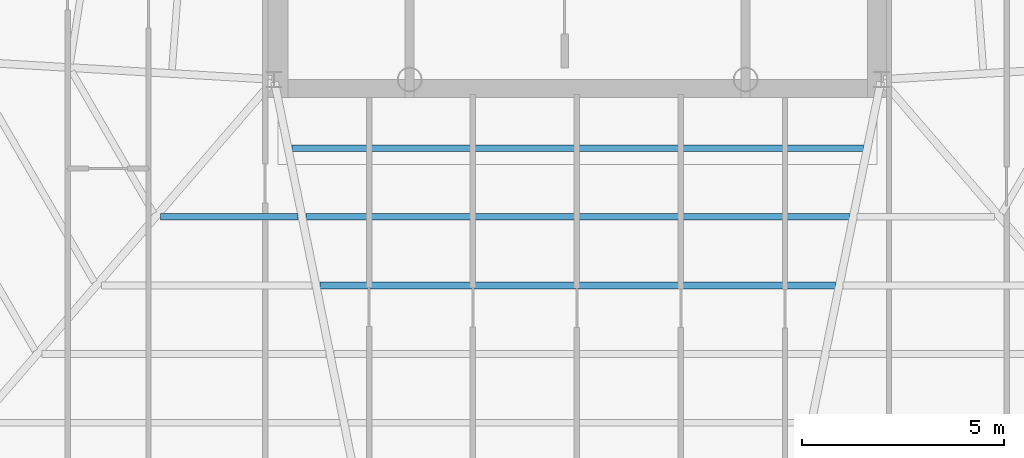
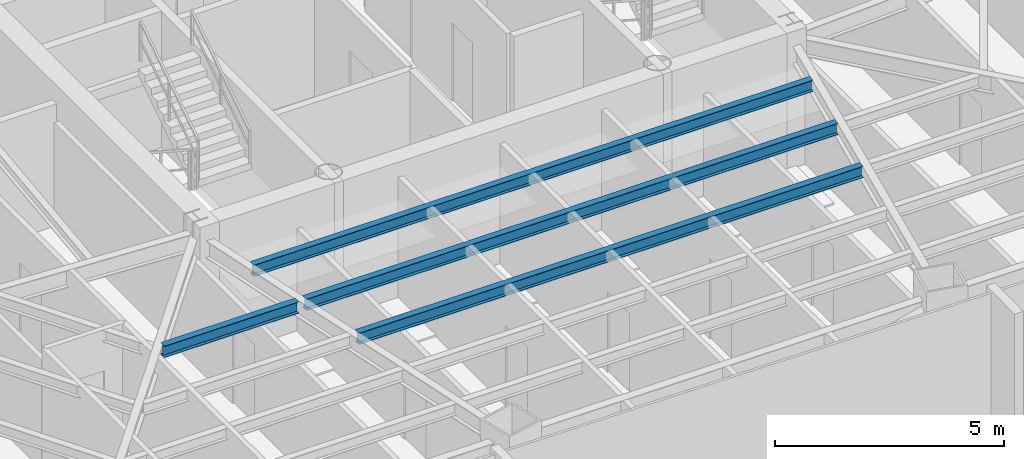
# One storey, part 11 of 40: 4 beams.
"""IFC4 building model written with IfcOpenShell, lengths in metres."""

from ifc_helpers import new_model, si_unit, direction, frame, origin, origin_2d, place, context, subcontext, project, spatial, i_section, extrude, source, transform, mapped, material, material_profile, profile_set, type_object, type_shapes, element, save


model = new_model("IFC4")

# Units and contexts
model_context = context("Model", 3, precision=1e-05, world=origin(), true_north=direction((0.0, 1.0)))
body_context = subcontext(model_context, "Body", "Model", "MODEL_VIEW")
ifc_project = project(units=[si_unit("LENGTHUNIT", "METRE"), si_unit("AREAUNIT", "SQUARE_METRE"), si_unit("VOLUMEUNIT", "CUBIC_METRE"), si_unit("PLANEANGLEUNIT", "RADIAN"), si_unit("MASSUNIT", "GRAM", prefix="KILO")], contexts=[model_context])

# Site, building, storey
site_placement = place(None, origin())
site = spatial("IfcSite", under=ifc_project, at=site_placement, CompositionType="ELEMENT")
building_placement = place(site_placement, origin())
building = spatial("IfcBuilding", under=site, at=building_placement, Name="Caelisora Broadcast Tower", CompositionType="ELEMENT")
storey_placement = place(building_placement, frame((0.0, 0.0, 146.39990234375)))
storey = spatial("IfcBuildingStorey", under=building, at=storey_placement, Name="L38", CompositionType="ELEMENT", Elevation=146.39990234375)

# Beams
ifc_material = material(Name="Steel Grade 350 (AS/NZS 3679.1)", Category="steel")
ifc_material_profile = material_profile(ifc_material, i_section(OverallWidth=0.166015625, OverallDepth=0.30712890625, WebThickness=0.006591796875, FlangeThickness=0.01171875, at=origin_2d()), Name="Steel Grade 350 (AS/NZS 3679.1)")
ifc_profile_set = profile_set([ifc_material_profile], Name="Steel Grade 350 (AS/NZS 3679.1)")
beam_type = type_object("IfcBeamType", Name="SB03", PredefinedType="JOIST", material=ifc_profile_set)
shared_shape_1 = source(origin(), body_context, "Body", "SweptSolid", [
    extrude(i_section(OverallWidth=0.166015625, OverallDepth=0.30712890625, WebThickness=0.006591796875, FlangeThickness=0.01171875, at=origin_2d()), origin(), (0.0, 0.0, 1.0), 3.400390625),
])
beam_1_placement = place(storey_placement, frame((27.696044921875, 14.008544921875, 3.096435546875), z_axis=(1.0, 0.0, 0.0), x_axis=(0.0, 1.0, 0.0)))
element("IfcBeam", 1, at=beam_1_placement, inside=storey, type_object=beam_type, Name="L38 beam SB03", PredefinedType="JOIST", context=body_context, shape_type="MappedRepresentation", body=[
    mapped(shared_shape_1, transform((0.0, 0.0, 0.0), scale=1.0)),
])
shared_shape_2 = source(origin(), body_context, "Body", "SweptSolid", [
    extrude(i_section(OverallWidth=0.166015625, OverallDepth=0.30712890625, WebThickness=0.006591796875, FlangeThickness=0.01171875, at=origin_2d()), origin(), (0.0, 0.0, 1.0), 14.1201171875),
])
beam_2_placement = place(storey_placement, frame((30.93994140625, 15.7041015625, 3.096435546875), z_axis=(1.0, 0.0, 0.0), x_axis=(0.0, 1.0, 0.0)))
element("IfcBeam", 2, at=beam_2_placement, inside=storey, type_object=beam_type, Name="L38 beam SB03", PredefinedType="JOIST", context=body_context, shape_type="MappedRepresentation", body=[
    mapped(shared_shape_2, transform((0.0, 0.0, 0.0), scale=1.0)),
])
shared_shape_3 = source(origin(), body_context, "Body", "SweptSolid", [
    extrude(i_section(OverallWidth=0.166015625, OverallDepth=0.30712890625, WebThickness=0.006591796875, FlangeThickness=0.01171875, at=origin_2d()), origin(), (0.0, 0.0, 1.0), 13.42919921875),
])
beam_3_placement = place(storey_placement, frame((31.285400390625, 14.008544921875, 3.096435546875), z_axis=(1.0, 0.0, 0.0), x_axis=(0.0, 1.0, 0.0)))
element("IfcBeam", 3, at=beam_3_placement, inside=storey, type_object=beam_type, Name="L38 beam SB03", PredefinedType="JOIST", context=body_context, shape_type="MappedRepresentation", body=[
    mapped(shared_shape_3, transform((0.0, 0.0, 0.0), scale=1.0)),
])
shared_shape_4 = source(origin(), body_context, "Body", "SweptSolid", [
    extrude(i_section(OverallWidth=0.166015625, OverallDepth=0.30712890625, WebThickness=0.006591796875, FlangeThickness=0.01171875, at=origin_2d()), origin(), (0.0, 0.0, 1.0), 12.73828125),
])
type_shapes(beam_type, [shared_shape_1, shared_shape_2, shared_shape_3, shared_shape_4])
beam_4_placement = place(storey_placement, frame((31.630859375, 12.312744140625, 3.096435546875), z_axis=(1.0, 0.0, 0.0), x_axis=(0.0, 1.0, 0.0)))
element("IfcBeam", 4, at=beam_4_placement, inside=storey, type_object=beam_type, Name="L38 beam SB03", PredefinedType="JOIST", context=body_context, shape_type="MappedRepresentation", body=[
    mapped(shared_shape_4, transform((0.0, 0.0, 0.0), scale=1.0)),
])

save(model, "model.ifc")
